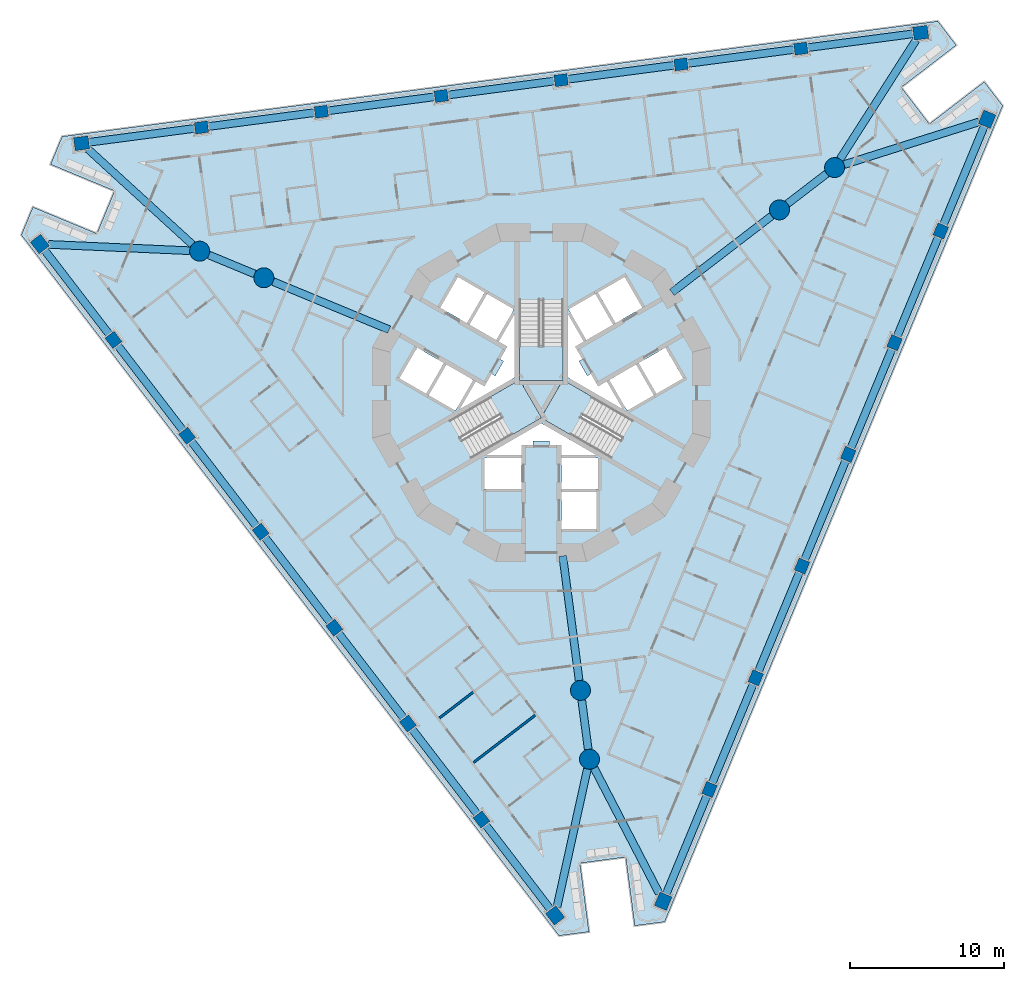
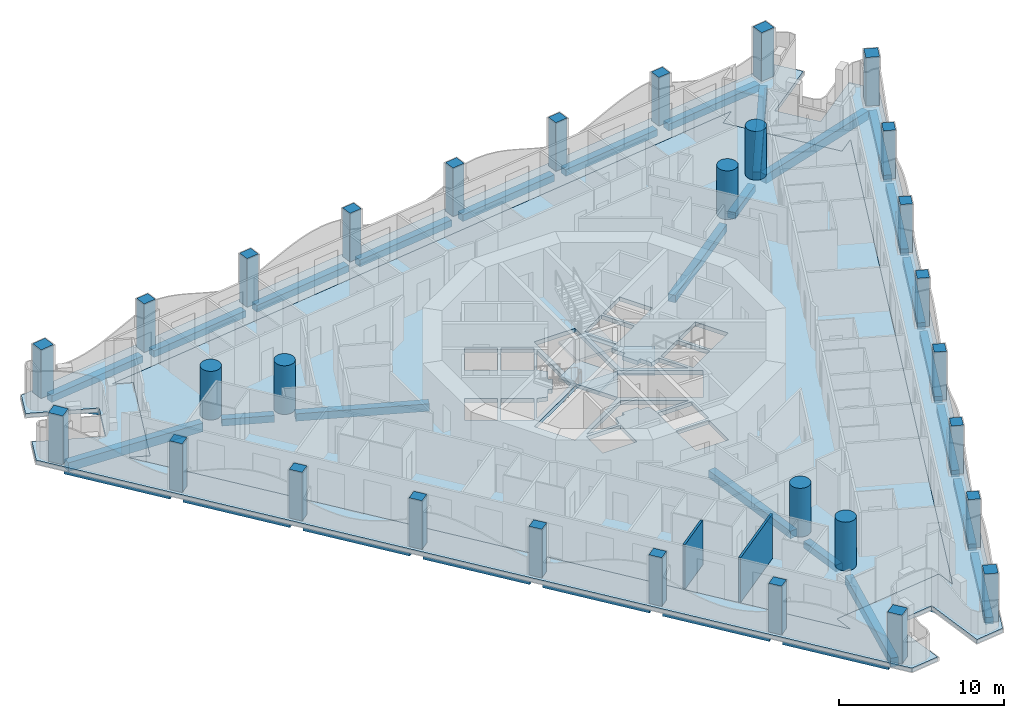
# One storey, part 1 of 19: 33 beams, 30 columns, 6 slabs, 2 walls, 3 elements without a shape of their own.
"""IFC4 building model written with IfcOpenShell, lengths in metres."""

from ifc_helpers import new_model, si_unit, direction, frame, frame_2d, origin, origin_2d, place, context, subcontext, project, spatial, polyline, rectangle, circle, outline, extrude, material, layer, layer_set, material_profile, profile_set, type_object, element, aggregate, save


model = new_model("IFC4")

# Units and contexts
model_context = context("Model", 3, precision=1e-05, world=origin(), true_north=direction((0.0, 1.0)))
body_context = subcontext(model_context, "Body", "Model", "MODEL_VIEW")
ifc_project = project(units=[si_unit("LENGTHUNIT", "METRE"), si_unit("AREAUNIT", "SQUARE_METRE"), si_unit("VOLUMEUNIT", "CUBIC_METRE"), si_unit("PLANEANGLEUNIT", "RADIAN"), si_unit("MASSUNIT", "GRAM", prefix="KILO")], contexts=[model_context])

# Site, building, storey
site_placement = place(None, origin())
site = spatial("IfcSite", under=ifc_project, at=site_placement, CompositionType="ELEMENT")
building_placement = place(site_placement, origin())
building = spatial("IfcBuilding", under=site, at=building_placement, Name="Trine Commons Tower", CompositionType="ELEMENT")
storey_placement = place(building_placement, frame((0.0, 0.0, 75.60009765625)))
storey = spatial("IfcBuildingStorey", under=building, at=storey_placement, Name="L18", CompositionType="ELEMENT", Elevation=75.60009765625)

# Columns
ifc_material_1 = material(Name="Concrete C80/95", Category="concrete")
ifc_material_profile_1 = material_profile(ifc_material_1, rectangle(XDim=0.85009765625, YDim=0.75, at=origin_2d()), Name="RC 850x750")
ifc_profile_set_1 = profile_set([ifc_material_profile_1], Name="Concrete C80/95")
column_type_1 = type_object("IfcColumnType", Name="RC column 850x750, C80/95", PredefinedType="COLUMN", material=ifc_profile_set_1)
for number, where, z_axis, x_axis, name in (
    (1, (76.1142578125, 34.74853515625, 0.0), (0.0, 0.0, 1.0), (-0.608761429009, 0.793353340291, 0.0), "Column PC2-02 L18"),
    (2, (71.3291015625, 40.984619140625, 0.0), (0.0, 0.0, 1.0), (-0.608761429009, 0.793353340291, 0.0), "Column PC2-03 L18"),
    (3, (66.5439453125, 47.220703125, 0.0), (0.0, 0.0, 1.0), (-0.608761429009, 0.793353340291, 0.0), "Column PC2-04 L18"),
    (4, (61.7587890625, 53.45703125, 0.0), (0.0, 0.0, 1.0), (-0.608761429009, 0.793353340291, 0.0), "Column PC2-05 L18"),
    (5, (56.9736328125, 59.693115234375, 0.0), (0.0, 0.0, 1.0), (-0.608761429009, 0.793353340291, 0.0), "Column PC2-06 L18"),
    (6, (52.1884765625, 65.92919921875, 0.0), (0.0, 0.0, 1.0), (-0.608761429009, 0.793353340291, 0.0), "Column PC2-07 L18"),
    (7, (57.9091796875, 79.740966796875, 0.0), (0.0, 0.0, 1.0), (0.991444861374, 0.13052619222, 0.0), "Column PC2-10 L18"),
    (8, (65.70263671875, 80.766845703125, 0.0), (0.0, 0.0, 1.0), (0.991444861374, 0.13052619222, 0.0), "Column PC2-11 L18"),
    (9, (73.495849609375, 81.79296875, 0.0), (0.0, 0.0, 1.0), (0.991444861374, 0.13052619222, 0.0), "Column PC2-12 L18"),
    (10, (81.2890625, 82.81884765625, 0.0), (0.0, 0.0, 1.0), (0.991444861374, 0.13052619222, 0.0), "Column PC2-13 L18"),
    (11, (89.08251953125, 83.844970703125, 0.0), (0.0, 0.0, 1.0), (0.991444861374, 0.13052619222, 0.0), "Column PC2-14 L18"),
    (12, (96.875732421875, 84.870849609375, 0.0), (0.0, 0.0, 1.0), (0.991444861374, 0.13052619222, 0.0), "Column PC2-15 L18"),
    (13, (105.976318359375, 73.010498046875, 0.0), (0.0, 0.0, 1.0), (0.382683432365, 0.923879532511, 0.0), "Column PC2-18 L18"),
    (14, (102.96826171875, 65.74853515625, 0.0), (0.0, 0.0, 1.0), (0.382683432365, 0.923879532511, 0.0), "Column PC2-19 L18"),
    (15, (99.960205078125, 58.486328125, 0.0), (0.0, 0.0, 1.0), (0.382683432365, 0.923879532511, 0.0), "Column PC2-20 L18"),
    (16, (96.9521484375, 51.22412109375, 0.0), (0.0, 0.0, 1.0), (0.382683432365, 0.923879532511, 0.0), "Column PC2-21 L18"),
    (17, (93.944091796875, 43.9619140625, 0.0), (0.0, 0.0, 1.0), (0.382683432365, 0.923879532511, 0.0), "Column PC2-22 L18"),
    (18, (90.935791015625, 36.69970703125, 0.0), (0.0, 0.0, 1.0), (0.382683432365, 0.923879532511, 0.0), "Column PC2-23 L18"),
):
    element("IfcColumn", number, at=place(storey_placement, frame(where, z_axis=z_axis, x_axis=x_axis)), inside=storey, type_object=column_type_1, Name=name, PredefinedType="COLUMN", context=body_context, shape_type="SweptSolid", body=[
        extrude(rectangle(XDim=0.85009765625, YDim=0.75, at=origin_2d()), origin(), (0.0, 0.0, 1.0), 3.599853515625),
    ])
ifc_material_profile_2 = material_profile(ifc_material_1, rectangle(XDim=0.949951171875, YDim=0.85009765625, at=origin_2d()), Name="RC 950x850")
ifc_profile_set_2 = profile_set([ifc_material_profile_2], Name="Concrete C80/95")
column_type_2 = type_object("IfcColumnType", Name="RC column 950x850, C80/95", PredefinedType="COLUMN", material=ifc_profile_set_2)
for number, where, z_axis, x_axis, name in (
    (19, (80.8994140625, 28.51220703125, 0.0), (0.0, 0.0, 1.0), (-0.608761429009, 0.793353340291, 0.0), "Column PC2-01 L18"),
    (20, (47.4033203125, 72.16552734375, 0.0), (0.0, 0.0, 1.0), (-0.608761429009, 0.793353340291, 0.0), "Column PC2-08 L18"),
    (21, (50.1162109375, 78.71484375, 0.0), (0.0, 0.0, 1.0), (0.991444861374, 0.13052619222, 0.0), "Column PC2-09 L18"),
    (22, (104.6689453125, 85.89697265625, 0.0), (0.0, 0.0, 1.0), (0.991444861374, 0.13052619222, 0.0), "Column PC2-16 L18"),
    (23, (108.984375, 80.272705078125, 0.0), (0.0, 0.0, 1.0), (0.382683432365, 0.923879532511, 0.0), "Column PC2-17 L18"),
    (24, (87.927734375, 29.4375, 0.0), (0.0, 0.0, 1.0), (0.382683432365, 0.923879532511, 0.0), "Column PC2-24 L18"),
):
    element("IfcColumn", number, at=place(storey_placement, frame(where, z_axis=z_axis, x_axis=x_axis)), inside=storey, type_object=column_type_2, Name=name, PredefinedType="COLUMN", context=body_context, shape_type="SweptSolid", body=[
        extrude(rectangle(XDim=0.949951171875, YDim=0.85009765625, at=origin_2d()), origin(), (0.0, 0.0, 1.0), 3.599853515625),
    ])
ifc_material_profile_3 = material_profile(ifc_material_1, circle(Radius=0.64990234375, at=origin_2d()), Name="RC round 1300")
ifc_profile_set_3 = profile_set([ifc_material_profile_3], Name="Concrete C80/95")
column_type_3 = type_object("IfcColumnType", Name="RC round column 1300 mm, C80/95", PredefinedType="COLUMN", material=ifc_profile_set_3)
for number, where, z_axis, x_axis, name in (
    (25, (82.548095703125, 43.14453125, 0.0), (0.0, 0.0, 1.0), (1.0, 0.0, 0.0), "Column WC2-1 L18"),
    (26, (83.1376953125, 38.6669921875, 0.0), (0.0, 0.0, 1.0), (1.0, 0.0, 0.0), "Column WC2-2 L18"),
    (27, (95.48828125, 74.384521484375, 0.0), (0.0, 0.0, 1.0), (1.0, 0.0, 0.0), "Column WC2-3 L18"),
    (28, (99.071044921875, 77.1337890625, 0.0), (0.0, 0.0, 1.0), (1.0, 0.0, 0.0), "Column WC2-4 L18"),
    (29, (61.963623046875, 69.970947265625, 0.0), (0.0, 0.0, 1.0), (1.0, 0.0, 0.0), "Column WC2-5 L18"),
    (30, (57.791259765625, 71.69921875, 0.0), (0.0, 0.0, 1.0), (1.0, 0.0, 0.0), "Column WC2-6 L18"),
):
    element("IfcColumn", number, at=place(storey_placement, frame(where, z_axis=z_axis, x_axis=x_axis)), inside=storey, type_object=column_type_3, Name=name, PredefinedType="COLUMN", context=body_context, shape_type="SweptSolid", body=[
        extrude(circle(Radius=0.64990234375, at=origin_2d()), origin(), (0.0, 0.0, 1.0), 3.599853515625),
    ])

# Beams
ifc_material_2 = material(Name="Concrete C50/60", Category="concrete")
ifc_material_profile_4 = material_profile(ifc_material_2, rectangle(XDim=0.5, YDim=0.5, at=origin_2d()), Name="RC 500x500")
ifc_profile_set_4 = profile_set([ifc_material_profile_4], Name="Concrete C50/60")
beam_type_1 = type_object("IfcBeamType", Name="RC beam 500x500, C50/60", PredefinedType="BEAM", material=ifc_profile_set_4)
beam_1_placement = place(storey_placement, frame((80.6103515625, 28.88916015625, -0.550048828125), z_axis=(-0.608757694977, 0.793356205501, 0.0), x_axis=(-0.793356205501, -0.608757694977, 0.0)))
element("IfcBeam", 31, at=beam_1_placement, inside=storey, type_object=beam_type_1, Name="Beam EB2-01 L18", PredefinedType="BEAM", context=body_context, shape_type="SweptSolid", body=[
    extrude(rectangle(XDim=0.5, YDim=0.5, at=origin_2d()), origin(), (0.0, 0.0, 1.0), 6.960693359375),
])
beam_2_placement = place(storey_placement, frame((75.855712890625, 35.085693359375, -0.550048828125), z_axis=(-0.608772912064, 0.793344528901, 0.0), x_axis=(-0.793344528901, -0.608772912064, 0.0)))
element("IfcBeam", 32, at=beam_2_placement, inside=storey, type_object=beam_type_1, Name="Beam EB2-02 L18", PredefinedType="BEAM", context=body_context, shape_type="SweptSolid", body=[
    extrude(rectangle(XDim=0.5, YDim=0.5, at=origin_2d()), origin(), (0.0, 0.0, 1.0), 7.010498046875),
])
beam_3_placement = place(storey_placement, frame((71.0703125, 41.322021484375, -0.550048828125), z_axis=(-0.608767812441, 0.793348442071, 0.0), x_axis=(-0.793348442071, -0.608767812441, 0.0)))
element("IfcBeam", 33, at=beam_3_placement, inside=storey, type_object=beam_type_1, Name="Beam EB2-03 L18", PredefinedType="BEAM", context=body_context, shape_type="SweptSolid", body=[
    extrude(rectangle(XDim=0.5, YDim=0.5, at=origin_2d()), origin(), (0.0, 0.0, 1.0), 7.01025390625),
])
for number, where, z_axis, x_axis, name in (
    (34, (66.285400390625, 47.55810546875, -0.550048828125), (-0.608772912064, 0.793344528901, 0.0), (-0.793344528901, -0.608772912064, 0.0), "Beam EB2-04 L18"),
    (35, (61.5, 53.794189453125, -0.550048828125), (-0.608750992772, 0.793361348188, 0.0), (-0.793361348188, -0.608750992772, 0.0), "Beam EB2-05 L18"),
):
    element("IfcBeam", number, at=place(storey_placement, frame(where, z_axis=z_axis, x_axis=x_axis)), inside=storey, type_object=beam_type_1, Name=name, PredefinedType="BEAM", context=body_context, shape_type="SweptSolid", body=[
        extrude(rectangle(XDim=0.5, YDim=0.5, at=origin_2d()), origin(), (0.0, 0.0, 1.0), 7.010498046875),
    ])
beam_4_placement = place(storey_placement, frame((56.71484375, 60.030517578125, -0.550048828125), z_axis=(-0.608789731625, 0.793331622128, 0.0), x_axis=(-0.793331622128, -0.608789731625, 0.0)))
element("IfcBeam", 36, at=beam_4_placement, inside=storey, type_object=beam_type_1, Name="Beam EB2-06 L18", PredefinedType="BEAM", context=body_context, shape_type="SweptSolid", body=[
    extrude(rectangle(XDim=0.5, YDim=0.5, at=origin_2d()), origin(), (0.0, 0.0, 1.0), 7.01025390625),
])
beam_5_placement = place(storey_placement, frame((51.9296875, 66.2666015625, -0.550048828125), z_axis=(-0.608757694977, 0.793356205501, 0.0), x_axis=(-0.793356205501, -0.608757694977, 0.0)))
element("IfcBeam", 37, at=beam_5_placement, inside=storey, type_object=beam_type_1, Name="Beam EB2-07 L18", PredefinedType="BEAM", context=body_context, shape_type="SweptSolid", body=[
    extrude(rectangle(XDim=0.5, YDim=0.5, at=origin_2d()), origin(), (0.0, 0.0, 1.0), 6.960693359375),
])
beam_6_placement = place(storey_placement, frame((50.5869140625, 78.77685546875, -0.550048828125), z_axis=(0.991446175382, 0.130516210946, 0.0), x_axis=(-0.130516210946, 0.991446175382, 0.0)))
element("IfcBeam", 38, at=beam_6_placement, inside=storey, type_object=beam_type_1, Name="Beam EB2-08 L18", PredefinedType="BEAM", context=body_context, shape_type="SweptSolid", body=[
    extrude(rectangle(XDim=0.5, YDim=0.5, at=origin_2d()), origin(), (0.0, 0.0, 1.0), 6.96044921875),
])
for number, where, z_axis, x_axis, name in (
    (39, (58.330810546875, 79.79638671875, -0.550048828125), (0.991444928767, 0.13052568032, 0.0), (-0.13052568032, 0.991444928767, 0.0), "Beam EB2-09 L18"),
    (40, (66.1240234375, 80.822509765625, -0.550048828125), (0.99144943492, 0.130491447984, 0.0), (-0.130491447984, 0.99144943492, 0.0), "Beam EB2-10 L18"),
    (41, (73.917236328125, 81.848388671875, -0.550048828125), (0.991444928767, 0.13052568032, 0.0), (-0.13052568032, 0.991444928767, 0.0), "Beam EB2-11 L18"),
    (42, (81.71044921875, 82.87451171875, -0.550048828125), (0.99144943492, 0.130491447984, 0.0), (-0.130491447984, 0.99144943492, 0.0), "Beam EB2-12 L18"),
    (43, (89.50390625, 83.900390625, -0.550048828125), (0.991444928767, 0.13052568032, 0.0), (-0.13052568032, 0.991444928767, 0.0), "Beam EB2-13 L18"),
):
    element("IfcBeam", number, at=place(storey_placement, frame(where, z_axis=z_axis, x_axis=x_axis)), inside=storey, type_object=beam_type_1, Name=name, PredefinedType="BEAM", context=body_context, shape_type="SweptSolid", body=[
        extrude(rectangle(XDim=0.5, YDim=0.5, at=origin_2d()), origin(), (0.0, 0.0, 1.0), 7.010498046875),
    ])
for number, where, z_axis, x_axis, name in (
    (44, (97.297119140625, 84.926513671875, -0.550048828125), (0.991446175382, 0.130516210946, 0.0), (-0.130516210946, 0.991446175382, 0.0), "Beam EB2-14 L18"),
    (45, (108.802490234375, 79.833984375, -0.550048828125), (-0.382671898974, -0.923884309714, 0.0), (0.923884309714, -0.382671898974, 0.0), "Beam EB2-15 L18"),
):
    element("IfcBeam", number, at=place(storey_placement, frame(where, z_axis=z_axis, x_axis=x_axis)), inside=storey, type_object=beam_type_1, Name=name, PredefinedType="BEAM", context=body_context, shape_type="SweptSolid", body=[
        extrude(rectangle(XDim=0.5, YDim=0.5, at=origin_2d()), origin(), (0.0, 0.0, 1.0), 6.96044921875),
    ])
beam_7_placement = place(storey_placement, frame((105.813720703125, 72.617919921875, -0.550048828125), z_axis=(-0.382693194178, -0.923875488976, 0.0), x_axis=(0.923875488976, -0.382693194178, 0.0)))
element("IfcBeam", 46, at=beam_7_placement, inside=storey, type_object=beam_type_1, Name="Beam EB2-16 L18", PredefinedType="BEAM", context=body_context, shape_type="SweptSolid", body=[
    extrude(rectangle(XDim=0.5, YDim=0.5, at=origin_2d()), origin(), (0.0, 0.0, 1.0), 7.010498046875),
])
for number, where, z_axis, x_axis, name in (
    (47, (102.8056640625, 65.35595703125, -0.550048828125), (-0.382680881742, -0.92388058901, 0.0), (0.92388058901, -0.382680881742, 0.0), "Beam EB2-17 L18"),
    (48, (99.797607421875, 58.09375, -0.550048828125), (-0.382680881742, -0.92388058901, 0.0), (0.92388058901, -0.382680881742, 0.0), "Beam EB2-18 L18"),
    (49, (96.78955078125, 50.83154296875, -0.550048828125), (-0.382680881742, -0.92388058901, 0.0), (0.92388058901, -0.382680881742, 0.0), "Beam EB2-19 L18"),
    (50, (93.781494140625, 43.5693359375, -0.550048828125), (-0.382710605355, -0.923868276622, 0.0), (0.923868276622, -0.382710605355, 0.0), "Beam EB2-20 L18"),
):
    element("IfcBeam", number, at=place(storey_placement, frame(where, z_axis=z_axis, x_axis=x_axis)), inside=storey, type_object=beam_type_1, Name=name, PredefinedType="BEAM", context=body_context, shape_type="SweptSolid", body=[
        extrude(rectangle(XDim=0.5, YDim=0.5, at=origin_2d()), origin(), (0.0, 0.0, 1.0), 7.0107421875),
    ])
beam_8_placement = place(storey_placement, frame((90.773193359375, 36.30712890625, -0.550048828125), z_axis=(-0.382671898974, -0.923884309714, 0.0), x_axis=(0.923884309714, -0.382671898974, 0.0)))
element("IfcBeam", 51, at=beam_8_placement, inside=storey, type_object=beam_type_1, Name="Beam EB2-21 L18", PredefinedType="BEAM", context=body_context, shape_type="SweptSolid", body=[
    extrude(rectangle(XDim=0.5, YDim=0.5, at=origin_2d()), origin(), (0.0, 0.0, 1.0), 6.96044921875),
])
beam_9_placement = place(storey_placement, frame((82.633056640625, 42.500732421875, -0.550048828125), z_axis=(0.130513398023, -0.991446545678, 0.0), x_axis=(0.991446545678, 0.130513398023, 0.0)))
element("IfcBeam", 52, at=beam_9_placement, inside=storey, type_object=beam_type_1, Name="Beam RB2-02 L18", PredefinedType="BEAM", context=body_context, shape_type="SweptSolid", body=[
    extrude(rectangle(XDim=0.5, YDim=0.5, at=origin_2d()), origin(), (0.0, 0.0, 1.0), 3.217529296875),
])
beam_10_placement = place(storey_placement, frame((96.00341796875, 74.77978515625, -0.550048828125), z_axis=(0.793368133848, 0.608742149185, 0.0), x_axis=(-0.608742149185, 0.793368133848, 0.0)))
element("IfcBeam", 53, at=beam_10_placement, inside=storey, type_object=beam_type_1, Name="Beam RB2-04 L18", PredefinedType="BEAM", context=body_context, shape_type="SweptSolid", body=[
    extrude(rectangle(XDim=0.5, YDim=0.5, at=origin_2d()), origin(), (0.0, 0.0, 1.0), 3.21728515625),
])
beam_11_placement = place(storey_placement, frame((61.363037109375, 70.2197265625, -0.550048828125), z_axis=(-0.923878970326, 0.382684789598, 0.0), x_axis=(-0.382684789598, -0.923878970326, 0.0)))
element("IfcBeam", 54, at=beam_11_placement, inside=storey, type_object=beam_type_1, Name="Beam RB2-06 L18", PredefinedType="BEAM", context=body_context, shape_type="SweptSolid", body=[
    extrude(rectangle(XDim=0.5, YDim=0.5, at=origin_2d()), origin(), (0.0, 0.0, 1.0), 3.216064453125),
])
ifc_material_profile_5 = material_profile(ifc_material_2, rectangle(XDim=0.5, YDim=0.550048828125, at=origin_2d()), Name="RC 500x550")
ifc_profile_set_5 = profile_set([ifc_material_profile_5], Name="Concrete C50/60")
beam_type_2 = type_object("IfcBeamType", Name="RC beam 500x550, C50/60", PredefinedType="BEAM", material=ifc_profile_set_5)
for number, where, z_axis, x_axis, name in (
    (55, (81.3974609375, 51.885009765625, -0.5751953125), (0.13051869661, -0.991445848161, 0.0), (0.991445848161, 0.13051869661, 0.0), "Beam RB2-01 L18"),
    (56, (88.494140625, 69.017578125, -0.5751953125), (0.79334357443, 0.608774155916, 0.0), (-0.608774155916, 0.79334357443, 0.0), "Beam RB2-03 L18"),
):
    element("IfcBeam", number, at=place(storey_placement, frame(where, z_axis=z_axis, x_axis=x_axis)), inside=storey, type_object=beam_type_2, Name=name, PredefinedType="BEAM", context=body_context, shape_type="SweptSolid", body=[
        extrude(rectangle(XDim=0.5, YDim=0.550048828125, at=origin_2d()), origin(), (0.0, 0.0, 1.0), 8.166748046875),
    ])
beam_12_placement = place(storey_placement, frame((70.1083984375, 66.59716796875, -0.5751953125), z_axis=(-0.923875444746, 0.382693300953, 0.0), x_axis=(-0.382693300953, -0.923875444746, 0.0)))
element("IfcBeam", 57, at=beam_12_placement, inside=storey, type_object=beam_type_2, Name="Beam RB2-05 L18", PredefinedType="BEAM", context=body_context, shape_type="SweptSolid", body=[
    extrude(rectangle(XDim=0.5, YDim=0.550048828125, at=origin_2d()), origin(), (0.0, 0.0, 1.0), 8.165771484375),
])
ifc_material_profile_6 = material_profile(ifc_material_2, rectangle(XDim=0.5, YDim=0.64990234375, at=origin_2d()), Name="RC 500x650")
ifc_profile_set_6 = profile_set([ifc_material_profile_6], Name="Concrete C50/60")
beam_type_3 = type_object("IfcBeamType", Name="RC beam 500x650, C50/60", PredefinedType="BEAM", material=ifc_profile_set_6)
for number, where, z_axis, x_axis, name in (
    (58, (47.9580078125, 72.140625, -0.625), (0.998993680757, -0.044851151696, 0.0), (0.044851151696, 0.998993680757, 0.0), "Beam CB2-01 L18"),
    (59, (50.52587890625, 78.340087890625, -0.625), (0.738114574549, -0.674675384788, 0.0), (0.674675384788, 0.738114574549, 0.0), "Beam CB2-02 L18"),
    (60, (104.369873046875, 85.428955078125, -0.625), (-0.538318035677, -0.842741770927, 0.0), (0.842741770927, -0.538318035677, 0.0), "Beam CB2-03 L18"),
):
    element("IfcBeam", number, at=place(storey_placement, frame(where, z_axis=z_axis, x_axis=x_axis)), inside=storey, type_object=beam_type_3, Name=name, PredefinedType="BEAM", context=body_context, shape_type="SweptSolid", body=[
        extrude(rectangle(XDim=0.5, YDim=0.64990234375, at=origin_2d()), origin(), (0.0, 0.0, 1.0), 9.19384765625),
    ])
beam_13_placement = place(storey_placement, frame((108.454833984375, 80.10498046875, -0.625), z_axis=(-0.953349995529, -0.301867166193, 0.0), x_axis=(0.301867166193, -0.953349995529, 0.0)))
element("IfcBeam", 61, at=beam_13_placement, inside=storey, type_object=beam_type_3, Name="Beam CB2-04 L18", PredefinedType="BEAM", context=body_context, shape_type="SweptSolid", body=[
    extrude(rectangle(XDim=0.5, YDim=0.64990234375, at=origin_2d()), origin(), (0.0, 0.0, 1.0), 9.193359375),
])
for number, where, z_axis, x_axis, name in (
    (62, (87.672119140625, 29.930419921875, -0.625), (-0.460652760363, 0.887580438253, 0.0), (-0.887580438253, -0.460652760363, 0.0), "Beam CB2-05 L18"),
    (63, (81.01904296875, 29.0546875, -0.625), (0.215234621965, 0.976562367444, 0.0), (-0.976562367444, 0.215234621965, 0.0), "Beam CB2-06 L18"),
):
    element("IfcBeam", number, at=place(storey_placement, frame(where, z_axis=z_axis, x_axis=x_axis)), inside=storey, type_object=beam_type_3, Name=name, PredefinedType="BEAM", context=body_context, shape_type="SweptSolid", body=[
        extrude(rectangle(XDim=0.5, YDim=0.64990234375, at=origin_2d()), origin(), (0.0, 0.0, 1.0), 9.193603515625),
    ])

# Slabs
ifc_layer_1 = layer(ifc_material_2, 0.300048828125)
ifc_layer_set_1 = layer_set([ifc_layer_1], Name="Concrete C50/60")
slab_type_1 = type_object("IfcSlabType", Name="Loggia slab 300 mm, C50/60", PredefinedType="FLOOR", material=ifc_layer_set_1)
slab_1_placement = place(storey_placement, frame((0.0, 0.0, -0.300048828125)))
element("IfcSlab", 64, at=slab_1_placement, inside=storey, type_object=slab_type_1, Name="Loggia slab L18", PredefinedType="FLOOR", context=body_context, shape_type="SweptSolid", body=[
    extrude(outline(polyline([(88.02294921875, 28.099365234375), (109.998046875, 81.15185546875), (108.80224609375, 82.710205078125), (105.232177734375, 79.970703125), (103.406005859375, 82.3505859375), (106.97607421875, 85.090087890625), (105.780517578125, 86.6484375), (48.847900390625, 79.153076171875), (48.096435546875, 77.33837890625), (52.25390625, 75.616455078125), (51.105712890625, 72.8447265625), (46.948486328125, 74.56689453125), (46.19677734375, 72.752197265625), (81.154052734375, 27.195068359375), (83.101318359375, 27.451416015625), (82.513916015625, 31.912841796875), (85.48828125, 32.304443359375), (86.07568359375, 27.843017578125), (88.02294921875, 28.099365234375)]), holes=[polyline([(79.99658203125, 32.6455078125), (79.8212890625, 33.97900390625), (87.554443359375, 34.997314453125), (87.72998046875, 33.663818359375), (105.856201171875, 77.42431640625), (104.789306640625, 76.605712890625), (100.041015625, 82.793701171875), (101.10791015625, 83.612548828125), (54.14697265625, 77.429931640625), (55.3896484375, 76.915283203125), (52.40478515625, 69.708984375), (51.162109375, 70.2236328125), (79.99658203125, 32.6455078125)])]), origin(), (0.0, 0.0, 1.0), 0.300048828125),
])
ifc_layer_2 = layer(ifc_material_2, 0.300048828125)
ifc_layer_set_2 = layer_set([ifc_layer_2], Name="Concrete C50/60")
slab_type_2 = type_object("IfcSlabType", Name="PT flat slab 300 mm, C50/60", PredefinedType="FLOOR", material=ifc_layer_set_2)
slab_2_placement = place(storey_placement, frame((0.0, 0.0, -0.300048828125)))
element("IfcSlab", 65, at=slab_2_placement, inside=storey, type_object=slab_type_2, Name="Floor slab L18", PredefinedType="FLOOR", context=body_context, shape_type="SweptSolid", body=[
    extrude(outline(polyline([(51.162109375, 70.2236328125), (79.99658203125, 32.6455078125), (79.8212890625, 33.97900390625), (87.554443359375, 34.997314453125), (87.72998046875, 33.663818359375), (105.856201171875, 77.42431640625), (104.789306640625, 76.605712890625), (100.041015625, 82.793701171875), (101.10791015625, 83.612548828125), (54.14697265625, 77.429931640625), (55.3896484375, 76.915283203125), (52.40478515625, 69.708984375), (51.162109375, 70.2236328125)]), holes=[polyline([(76.300048828125, 56.25), (78.699951171875, 56.25), (78.699951171875, 58.25), (76.300048828125, 58.25), (76.300048828125, 56.25)]), polyline([(81.14990234375, 59.10009765625), (81.300048828125, 58.449951171875), (83.56494140625, 58.449951171875), (80.0, 60.508056640625), (76.43505859375, 58.449951171875), (78.699951171875, 58.449951171875), (78.85009765625, 59.10009765625), (79.449951171875, 59.10009765625), (79.449951171875, 59.360107421875), (80.550048828125, 59.360107421875), (80.550048828125, 59.10009765625), (81.14990234375, 59.10009765625)]), polyline([(80.0, 60.8544921875), (84.4755859375, 58.2705078125), (85.900390625, 60.73876953125), (81.425048828125, 63.32275390625), (81.425048828125, 68.490478515625), (78.574951171875, 68.490478515625), (78.574951171875, 63.32275390625), (74.099609375, 60.73876953125), (75.5244140625, 58.2705078125), (80.0, 60.8544921875)]), polyline([(73.83740234375, 64.325927734375), (72.687255859375, 62.333984375), (74.41943359375, 61.333984375), (75.5693359375, 63.325927734375), (73.83740234375, 64.325927734375)]), polyline([(71.93212890625, 65.426025390625), (70.781982421875, 63.43408203125), (72.51416015625, 62.43408203125), (73.6640625, 64.426025390625), (71.93212890625, 65.426025390625)]), polyline([(76.781005859375, 63.722900390625), (76.381103515625, 63.031005859375), (75.742919921875, 63.22607421875), (74.7099609375, 61.43798828125), (78.27490234375, 63.49609375), (78.27490234375, 67.612060546875), (77.242919921875, 65.823974609375), (77.73095703125, 65.368896484375), (77.3310546875, 64.676025390625), (77.555908203125, 64.5458984375), (77.006103515625, 63.593994140625), (76.781005859375, 63.722900390625)]), polyline([(76.4873046875, 68.916015625), (75.33740234375, 66.924072265625), (77.0693359375, 65.924072265625), (78.219482421875, 67.916015625), (76.4873046875, 68.916015625)]), polyline([(74.58203125, 70.015869140625), (73.43212890625, 68.02392578125), (75.1640625, 67.02392578125), (76.314208984375, 69.015869140625), (74.58203125, 70.015869140625)]), polyline([(81.300048828125, 53.64990234375), (83.60009765625, 53.64990234375), (83.60009765625, 56.050048828125), (81.300048828125, 56.050048828125), (81.300048828125, 53.64990234375)]), polyline([(81.300048828125, 56.25), (83.699951171875, 56.25), (83.699951171875, 58.25), (81.300048828125, 58.25), (81.300048828125, 56.25)]), polyline([(87.312744140625, 62.333984375), (86.16259765625, 64.325927734375), (84.4306640625, 63.325927734375), (85.58056640625, 61.333984375), (87.312744140625, 62.333984375)]), polyline([(89.218017578125, 63.43408203125), (88.06787109375, 65.426025390625), (86.3359375, 64.426025390625), (87.48583984375, 62.43408203125), (89.218017578125, 63.43408203125)]), polyline([(83.243896484375, 63.738037109375), (82.993896484375, 63.593994140625), (82.444091796875, 64.5458984375), (82.72705078125, 64.7099609375), (82.281005859375, 65.549072265625), (82.757080078125, 65.823974609375), (81.72509765625, 67.612060546875), (81.72509765625, 63.49609375), (85.2900390625, 61.43798828125), (84.257080078125, 63.22607421875), (83.618896484375, 63.031005859375), (83.243896484375, 63.738037109375)]), polyline([(82.9306640625, 65.924072265625), (84.66259765625, 66.924072265625), (83.5126953125, 68.916015625), (81.780517578125, 67.916015625), (82.9306640625, 65.924072265625)]), polyline([(84.8359375, 67.02392578125), (86.56787109375, 68.02392578125), (85.41796875, 70.015869140625), (83.685791015625, 69.015869140625), (84.8359375, 67.02392578125)])]), origin(), (0.0, 0.0, 1.0), 0.300048828125),
])
slab_3_placement = place(storey_placement, frame((0.0, 0.0, -0.300048828125)))
element("IfcSlab", 66, at=slab_3_placement, inside=storey, type_object=slab_type_2, Name="Floor slab L18 2", PredefinedType="FLOOR", context=body_context, shape_type="SweptSolid", body=[
    extrude(outline(polyline([(78.61328125, 63.300537109375), (80.0, 60.89892578125), (81.38671875, 63.300537109375), (78.61328125, 63.300537109375)])), origin(), (0.0, 0.0, 1.0), 0.300048828125),
])

# Stair, slab
stair_type = type_object("IfcStairType", Name="Exit stair, dog-leg, 24 risers of 150 mm", PredefinedType="HALF_TURN_STAIR", material=ifc_material_2)
stair_1_placement = place(storey_placement, origin())
stair_1 = element("IfcStair", 67, at=stair_1_placement, inside=storey, type_object=stair_type, Name="L18 Exit stair ST1A", PredefinedType="HALF_TURN_STAIR")
ifc_layer_3 = layer(ifc_material_2, 0.199951171875)
ifc_layer_set_3 = layer_set([ifc_layer_3], Name="Concrete C50/60")
slab_type_3 = type_object("IfcSlabType", Name="Stair landing slab 200 mm, C50/60", PredefinedType="LANDING", material=ifc_layer_set_3)
slab_4_placement = place(storey_placement, frame((0.0, 0.0, 1.599853515625)))
slab_4 = element("IfcSlab", 68, at=slab_4_placement, type_object=slab_type_3, Name="ST1A landing 1", PredefinedType="LANDING", context=body_context, shape_type="SweptSolid", body=[
    extrude(outline(polyline([(78.574951171875, 65.570556640625), (78.574951171875, 63.300537109375), (81.425048828125, 63.300537109375), (81.425048828125, 65.570556640625), (78.574951171875, 65.570556640625)])), origin(), (0.0, 0.0, 1.0), 0.199951171875),
])
aggregate(stair_1, [slab_4])

stair_2_placement = place(storey_placement, origin())
stair_2 = element("IfcStair", 69, at=stair_2_placement, inside=storey, type_object=stair_type, Name="L18 Exit stair ST2A", PredefinedType="HALF_TURN_STAIR")
slab_5_placement = place(storey_placement, frame((0.0, 0.0, 1.599853515625)))
slab_5 = element("IfcSlab", 70, at=slab_5_placement, type_object=slab_type_3, Name="ST2A landing 1", PredefinedType="LANDING", context=body_context, shape_type="SweptSolid", body=[
    extrude(outline(polyline([(78.05322265625, 59.730712890625), (80.019287109375, 60.86572265625), (78.59423828125, 63.333740234375), (76.628173828125, 62.19873046875), (78.05322265625, 59.730712890625)])), origin(), (0.0, 0.0, 1.0), 0.199951171875),
])
aggregate(stair_2, [slab_5])

stair_3_placement = place(storey_placement, origin())
stair_3 = element("IfcStair", 71, at=stair_3_placement, inside=storey, type_object=stair_type, Name="L18 Exit stair ST3A", PredefinedType="HALF_TURN_STAIR")
slab_6_placement = place(storey_placement, frame((0.0, 0.0, 1.599853515625)))
slab_6 = element("IfcSlab", 72, at=slab_6_placement, type_object=slab_type_3, Name="ST3A landing 1", PredefinedType="LANDING", context=body_context, shape_type="SweptSolid", body=[
    extrude(outline(polyline([(83.371826171875, 62.19873046875), (81.40576171875, 63.333740234375), (79.980712890625, 60.86572265625), (81.94677734375, 59.730712890625), (83.371826171875, 62.19873046875)])), origin(), (0.0, 0.0, 1.0), 0.199951171875),
])
aggregate(stair_3, [slab_6])

# Walls
ifc_material_3 = material(Name="Gypsum plasterboard on steel stud", Category="steel")
ifc_layer_4 = layer(ifc_material_3, 0.14990234375)
ifc_layer_set_4 = layer_set([ifc_layer_4], Name="Gypsum plasterboard on steel stud")
wall_type = type_object("IfcWallType", Name="Unit and corridor wall 150 mm, EI 60", PredefinedType="PARTITIONING", material=ifc_layer_set_4)
wall_1_placement = place(storey_placement, frame((73.373779296875, 41.34228515625, 0.0), z_axis=(0.0, 0.0, 1.0), x_axis=(0.793579594979, 0.608466454648, 0.0)))
element("IfcWall", 73, at=wall_1_placement, inside=storey, type_object=wall_type, Name="Partition 059", PredefinedType="PARTITIONING", context=body_context, shape_type="SweptSolid", body=[
    extrude(rectangle(XDim=2.789306640625, YDim=0.14990234375, at=frame_2d((1.39453125, 0.0))), origin(), (0.0, 0.0, 1.0), 3.2998046875),
])
wall_2_placement = place(storey_placement, frame((75.5927734375, 38.451416015625, 0.0), z_axis=(0.0, 0.0, 1.0), x_axis=(0.793302827183, 0.608827253318, 0.0)))
element("IfcWall", 74, at=wall_2_placement, inside=storey, type_object=wall_type, Name="Partition 064", PredefinedType="PARTITIONING", context=body_context, shape_type="SweptSolid", body=[
    extrude(rectangle(XDim=5.0634765625, YDim=0.14990234375, at=frame_2d((2.53173828125, 0.0))), origin(), (0.0, 0.0, 1.0), 3.2998046875),
])

save(model, "model.ifc")
